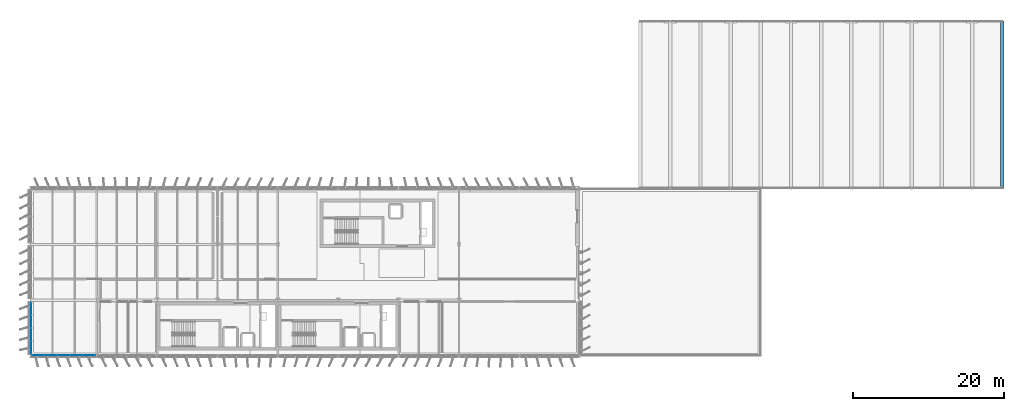
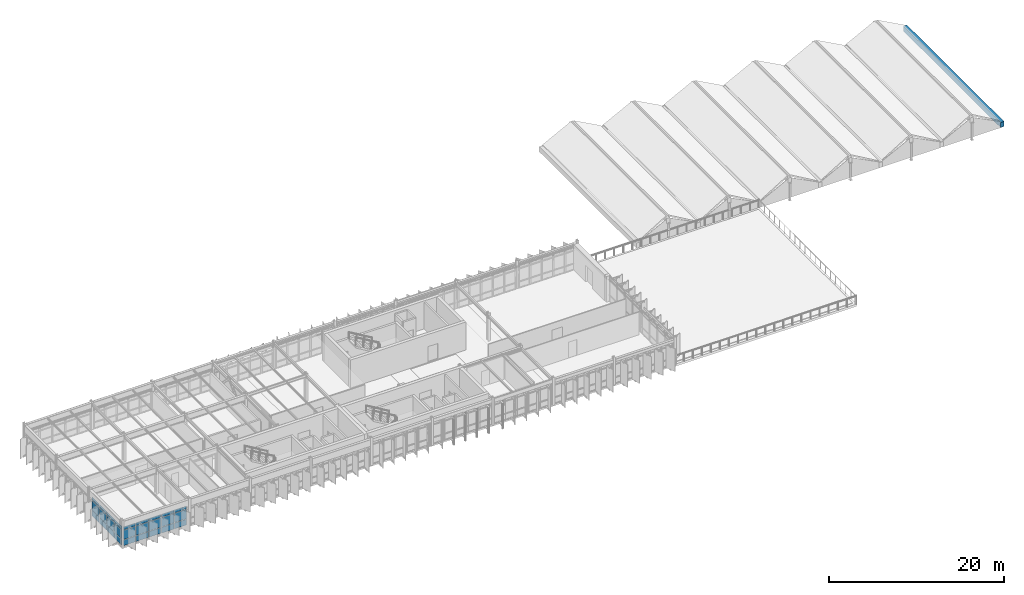
# One storey, part 18 of 35: 27 plates, 1 beam, 2 elements without a shape of their own.
"""IFC4 building model written with IfcOpenShell, lengths in metres."""

from ifc_helpers import new_model, si_unit, direction, frame, origin, origin_2d, place, context, subcontext, project, spatial, rectangle, extrude, material, layer, layer_set, material_profile, profile_set, type_object, element, aggregate, save


model = new_model("IFC4")

# Units and contexts
model_context = context("Model", 3, precision=1e-05, world=origin(), true_north=direction((0.0, 1.0)))
body_context = subcontext(model_context, "Body", "Model", "MODEL_VIEW")
ifc_project = project(units=[si_unit("LENGTHUNIT", "METRE"), si_unit("AREAUNIT", "SQUARE_METRE"), si_unit("VOLUMEUNIT", "CUBIC_METRE"), si_unit("PLANEANGLEUNIT", "RADIAN"), si_unit("MASSUNIT", "GRAM", prefix="KILO")], contexts=[model_context])

# Site, building, storey
site_placement = place(None, origin())
site = spatial("IfcSite", under=ifc_project, at=site_placement, CompositionType="ELEMENT")
building_placement = place(site_placement, origin())
building = spatial("IfcBuilding", under=site, at=building_placement, Name="Valkorina Park Police Headquarters", CompositionType="ELEMENT")
storey_placement = place(building_placement, frame((0.0, 0.0, 27.199951171875)))
storey = spatial("IfcBuildingStorey", under=building, at=storey_placement, Name="L07", CompositionType="ELEMENT", Elevation=27.199951171875)

# Beam
ifc_material_1 = material(Name="Concrete C40/50", Category="concrete")
ifc_material_profile = material_profile(ifc_material_1, rectangle(XDim=0.449951171875, YDim=0.699951171875, at=origin_2d()), Name="RC RIDGE 450x700")
ifc_profile_set = profile_set([ifc_material_profile], Name="Concrete C40/50")
beam_type = type_object("IfcBeamType", Name="BM-RC-RIDGE-EXT", PredefinedType="BEAM", material=ifc_profile_set)
beam_placement = place(storey_placement, frame((128.800048828125, 59.199951171875, 0.35009765625), z_axis=(0.0, 1.0, 0.0), x_axis=(-1.0, 0.0, 0.0)))
element("IfcBeam", 1, at=beam_placement, inside=storey, type_object=beam_type, Name="V2 Command Hall Folded-Plate Valley Beam 6.2", PredefinedType="BEAM", context=body_context, shape_type="SweptSolid", body=[
    extrude(rectangle(XDim=0.449951171875, YDim=0.699951171875, at=origin_2d()), origin(), (0.0, 0.0, 1.0), 22.199951171875),
])

# Curtain wall, plates
ifc_material_2 = material(Name="Thermally broken aluminium AW-6060", Category="aluminium")
ifc_layer_1 = layer(ifc_material_2, 0.18994140625)
ifc_layer_set_1 = layer_set([ifc_layer_1], Name="Thermally broken aluminium AW-6060")
curtain_wall_type_1 = type_object("IfcCurtainWallType", Name="CW-V5-8480x2770", PredefinedType="NOTDEFINED", material=ifc_layer_set_1)
curtain_wall_1_placement = place(storey_placement, origin())
curtain_wall_1 = element("IfcCurtainWall", 2, at=curtain_wall_1_placement, inside=storey, type_object=curtain_wall_type_1, Name="L07 Unitised Curtain Wall 141", PredefinedType="NOTDEFINED")
ifc_layer_2 = layer(ifc_material_2, 0.050048828125)
ifc_layer_set_2 = layer_set([ifc_layer_2], Name="Thermally broken aluminium AW-6060")
plate_type_1 = type_object("IfcPlateType", Name="PL-CWP-SPANDREL-50", PredefinedType="CURTAIN_PANEL", material=ifc_layer_set_2)
plate_1_placement = place(storey_placement, frame((7.7744140625, 37.1201171875, 0.070068359375), z_axis=(0.0, 0.0, 1.0), x_axis=(-1.0, 0.0, 0.0)))
plate_1 = element("IfcPlate", 3, at=plate_1_placement, type_object=plate_type_1, Name="CW-V5-848-277 panel 1.1", PredefinedType="CURTAIN_PANEL", context=body_context, shape_type="SweptSolid", body=[
    extrude(rectangle(XDim=1.591064453125, YDim=0.028076171875, at=origin_2d()), origin(), (0.0, 0.0, 1.0), 0.794921875),
])
plate_2_placement = place(storey_placement, frame((6.095947265625, 37.1201171875, 0.070068359375), z_axis=(0.0, 0.0, 1.0), x_axis=(-1.0, 0.0, 0.0)))
plate_2 = element("IfcPlate", 4, at=plate_2_placement, type_object=plate_type_1, Name="CW-V5-848-277 panel 2.1", PredefinedType="CURTAIN_PANEL", context=body_context, shape_type="SweptSolid", body=[
    extrude(rectangle(XDim=1.6259765625, YDim=0.028076171875, at=origin_2d()), origin(), (0.0, 0.0, 1.0), 0.794921875),
])
plate_3_placement = place(storey_placement, frame((4.39990234375, 37.1201171875, 0.070068359375), z_axis=(0.0, 0.0, 1.0), x_axis=(-1.0, 0.0, 0.0)))
plate_3 = element("IfcPlate", 5, at=plate_3_placement, type_object=plate_type_1, Name="CW-V5-848-277 panel 3.1", PredefinedType="CURTAIN_PANEL", context=body_context, shape_type="SweptSolid", body=[
    extrude(rectangle(XDim=1.6259765625, YDim=0.028076171875, at=origin_2d()), origin(), (0.0, 0.0, 1.0), 0.794921875),
])
plate_4_placement = place(storey_placement, frame((2.7041015625, 37.1201171875, 0.070068359375), z_axis=(0.0, 0.0, 1.0), x_axis=(-1.0, 0.0, 0.0)))
plate_4 = element("IfcPlate", 6, at=plate_4_placement, type_object=plate_type_1, Name="CW-V5-848-277 panel 4.1", PredefinedType="CURTAIN_PANEL", context=body_context, shape_type="SweptSolid", body=[
    extrude(rectangle(XDim=1.6259765625, YDim=0.028076171875, at=origin_2d()), origin(), (0.0, 0.0, 1.0), 0.794921875),
])
plate_5_placement = place(storey_placement, frame((1.025390625, 37.1201171875, 0.070068359375), z_axis=(0.0, 0.0, 1.0), x_axis=(-1.0, 0.0, 0.0)))
plate_5 = element("IfcPlate", 7, at=plate_5_placement, type_object=plate_type_1, Name="CW-V5-848-277 panel 5.1", PredefinedType="CURTAIN_PANEL", context=body_context, shape_type="SweptSolid", body=[
    extrude(rectangle(XDim=1.591064453125, YDim=0.028076171875, at=origin_2d()), origin(), (0.0, 0.0, 1.0), 0.794921875),
])

ifc_layer_3 = layer(ifc_material_2, 0.18994140625)
ifc_layer_set_3 = layer_set([ifc_layer_3], Name="Thermally broken aluminium AW-6060")
curtain_wall_type_2 = type_object("IfcCurtainWallType", Name="CW-V5-6930x2770", PredefinedType="NOTDEFINED", material=ifc_layer_set_3)
curtain_wall_2_placement = place(storey_placement, origin())
curtain_wall_2 = element("IfcCurtainWall", 8, at=curtain_wall_2_placement, inside=storey, type_object=curtain_wall_type_2, Name="L07 Unitised Curtain Wall 142", PredefinedType="NOTDEFINED")
plate_6_placement = place(storey_placement, frame((0.1201171875, 38.11865234375, 0.070068359375), z_axis=(0.0, 0.0, 1.0), x_axis=(0.0, 1.0, 0.0)))
plate_6 = element("IfcPlate", 9, at=plate_6_placement, type_object=plate_type_1, Name="CW-V5-693-277 panel 1.1", PredefinedType="CURTAIN_PANEL", context=body_context, shape_type="SweptSolid", body=[
    extrude(rectangle(XDim=1.62744140625, YDim=0.028076171875, at=origin_2d()), origin(), (0.0, 0.0, 1.0), 0.794921875),
])
plate_7_placement = place(storey_placement, frame((0.1201171875, 39.833740234375, 0.070068359375), z_axis=(0.0, 0.0, 1.0), x_axis=(0.0, 1.0, 0.0)))
plate_7 = element("IfcPlate", 10, at=plate_7_placement, type_object=plate_type_1, Name="CW-V5-693-277 panel 2.1", PredefinedType="CURTAIN_PANEL", context=body_context, shape_type="SweptSolid", body=[
    extrude(rectangle(XDim=1.66259765625, YDim=0.028076171875, at=origin_2d()), origin(), (0.0, 0.0, 1.0), 0.794921875),
])
plate_8_placement = place(storey_placement, frame((0.1201171875, 41.566162109375, 0.070068359375), z_axis=(0.0, 0.0, 1.0), x_axis=(0.0, 1.0, 0.0)))
plate_8 = element("IfcPlate", 11, at=plate_8_placement, type_object=plate_type_1, Name="CW-V5-693-277 panel 3.1", PredefinedType="CURTAIN_PANEL", context=body_context, shape_type="SweptSolid", body=[
    extrude(rectangle(XDim=1.66259765625, YDim=0.028076171875, at=origin_2d()), origin(), (0.0, 0.0, 1.0), 0.794921875),
])
plate_9_placement = place(storey_placement, frame((0.1201171875, 43.28125, 0.070068359375), z_axis=(0.0, 0.0, 1.0), x_axis=(0.0, 1.0, 0.0)))
plate_9 = element("IfcPlate", 12, at=plate_9_placement, type_object=plate_type_1, Name="CW-V5-693-277 panel 4.1", PredefinedType="CURTAIN_PANEL", context=body_context, shape_type="SweptSolid", body=[
    extrude(rectangle(XDim=1.62744140625, YDim=0.028076171875, at=origin_2d()), origin(), (0.0, 0.0, 1.0), 0.794921875),
])

# Plate
ifc_material_3 = material(Name="Triple low-E insulated glazing", Category="glass")
ifc_layer_4 = layer(ifc_material_3, 0.028076171875)
ifc_layer_set_4 = layer_set([ifc_layer_4], Name="Triple low-E insulated glazing")
plate_type_2 = type_object("IfcPlateType", Name="PL-CWP-VISION-28", PredefinedType="CURTAIN_PANEL", material=ifc_layer_set_4)
plate_10_placement = place(storey_placement, frame((7.7744140625, 37.1201171875, 0.93505859375), z_axis=(0.0, 0.0, 1.0), x_axis=(-1.0, 0.0, 0.0)))
plate_10 = element("IfcPlate", 13, at=plate_10_placement, type_object=plate_type_2, Name="CW-V5-848-277 panel 1.2", PredefinedType="CURTAIN_PANEL", context=body_context, shape_type="SweptSolid", body=[
    extrude(rectangle(XDim=1.591064453125, YDim=0.028076171875, at=origin_2d()), origin(), (0.0, 0.0, 1.0), 1.280029296875),
])

plate_11_placement = place(storey_placement, frame((7.7744140625, 37.1201171875, 2.284912109375), z_axis=(0.0, 0.0, 1.0), x_axis=(-1.0, 0.0, 0.0)))
plate_11 = element("IfcPlate", 14, at=plate_11_placement, type_object=plate_type_2, Name="CW-V5-848-277 panel 1.3", PredefinedType="CURTAIN_PANEL", context=body_context, shape_type="SweptSolid", body=[
    extrude(rectangle(XDim=1.591064453125, YDim=0.028076171875, at=origin_2d()), origin(), (0.0, 0.0, 1.0), 0.4150390625),
])

plate_12_placement = place(storey_placement, frame((6.095947265625, 37.1201171875, 0.93505859375), z_axis=(0.0, 0.0, 1.0), x_axis=(-1.0, 0.0, 0.0)))
plate_12 = element("IfcPlate", 15, at=plate_12_placement, type_object=plate_type_2, Name="CW-V5-848-277 panel 2.2", PredefinedType="CURTAIN_PANEL", context=body_context, shape_type="SweptSolid", body=[
    extrude(rectangle(XDim=1.6259765625, YDim=0.028076171875, at=origin_2d()), origin(), (0.0, 0.0, 1.0), 1.280029296875),
])

plate_13_placement = place(storey_placement, frame((6.095947265625, 37.1201171875, 2.284912109375), z_axis=(0.0, 0.0, 1.0), x_axis=(-1.0, 0.0, 0.0)))
plate_13 = element("IfcPlate", 16, at=plate_13_placement, type_object=plate_type_2, Name="CW-V5-848-277 panel 2.3", PredefinedType="CURTAIN_PANEL", context=body_context, shape_type="SweptSolid", body=[
    extrude(rectangle(XDim=1.6259765625, YDim=0.028076171875, at=origin_2d()), origin(), (0.0, 0.0, 1.0), 0.4150390625),
])

plate_14_placement = place(storey_placement, frame((4.39990234375, 37.1201171875, 0.93505859375), z_axis=(0.0, 0.0, 1.0), x_axis=(-1.0, 0.0, 0.0)))
plate_14 = element("IfcPlate", 17, at=plate_14_placement, type_object=plate_type_2, Name="CW-V5-848-277 panel 3.2", PredefinedType="CURTAIN_PANEL", context=body_context, shape_type="SweptSolid", body=[
    extrude(rectangle(XDim=1.6259765625, YDim=0.028076171875, at=origin_2d()), origin(), (0.0, 0.0, 1.0), 1.280029296875),
])

plate_15_placement = place(storey_placement, frame((4.39990234375, 37.1201171875, 2.284912109375), z_axis=(0.0, 0.0, 1.0), x_axis=(-1.0, 0.0, 0.0)))
plate_15 = element("IfcPlate", 18, at=plate_15_placement, type_object=plate_type_2, Name="CW-V5-848-277 panel 3.3", PredefinedType="CURTAIN_PANEL", context=body_context, shape_type="SweptSolid", body=[
    extrude(rectangle(XDim=1.6259765625, YDim=0.028076171875, at=origin_2d()), origin(), (0.0, 0.0, 1.0), 0.4150390625),
])

plate_16_placement = place(storey_placement, frame((2.7041015625, 37.1201171875, 0.93505859375), z_axis=(0.0, 0.0, 1.0), x_axis=(-1.0, 0.0, 0.0)))
plate_16 = element("IfcPlate", 19, at=plate_16_placement, type_object=plate_type_2, Name="CW-V5-848-277 panel 4.2", PredefinedType="CURTAIN_PANEL", context=body_context, shape_type="SweptSolid", body=[
    extrude(rectangle(XDim=1.6259765625, YDim=0.028076171875, at=origin_2d()), origin(), (0.0, 0.0, 1.0), 1.280029296875),
])

plate_17_placement = place(storey_placement, frame((2.7041015625, 37.1201171875, 2.284912109375), z_axis=(0.0, 0.0, 1.0), x_axis=(-1.0, 0.0, 0.0)))
plate_17 = element("IfcPlate", 20, at=plate_17_placement, type_object=plate_type_2, Name="CW-V5-848-277 panel 4.3", PredefinedType="CURTAIN_PANEL", context=body_context, shape_type="SweptSolid", body=[
    extrude(rectangle(XDim=1.6259765625, YDim=0.028076171875, at=origin_2d()), origin(), (0.0, 0.0, 1.0), 0.4150390625),
])

plate_18_placement = place(storey_placement, frame((1.025390625, 37.1201171875, 0.93505859375), z_axis=(0.0, 0.0, 1.0), x_axis=(-1.0, 0.0, 0.0)))
plate_18 = element("IfcPlate", 21, at=plate_18_placement, type_object=plate_type_2, Name="CW-V5-848-277 panel 5.2", PredefinedType="CURTAIN_PANEL", context=body_context, shape_type="SweptSolid", body=[
    extrude(rectangle(XDim=1.591064453125, YDim=0.028076171875, at=origin_2d()), origin(), (0.0, 0.0, 1.0), 1.280029296875),
])

plate_19_placement = place(storey_placement, frame((1.025390625, 37.1201171875, 2.284912109375), z_axis=(0.0, 0.0, 1.0), x_axis=(-1.0, 0.0, 0.0)))
plate_19 = element("IfcPlate", 22, at=plate_19_placement, type_object=plate_type_2, Name="CW-V5-848-277 panel 5.3", PredefinedType="CURTAIN_PANEL", context=body_context, shape_type="SweptSolid", body=[
    extrude(rectangle(XDim=1.591064453125, YDim=0.028076171875, at=origin_2d()), origin(), (0.0, 0.0, 1.0), 0.4150390625),
])

aggregate(curtain_wall_1, [plate_1, plate_10, plate_11, plate_2, plate_12, plate_13, plate_3, plate_14, plate_15, plate_4, plate_16, plate_17, plate_5, plate_18, plate_19])

plate_20_placement = place(storey_placement, frame((0.1201171875, 38.11865234375, 0.93505859375), z_axis=(0.0, 0.0, 1.0), x_axis=(0.0, 1.0, 0.0)))
plate_20 = element("IfcPlate", 23, at=plate_20_placement, type_object=plate_type_2, Name="CW-V5-693-277 panel 1.2", PredefinedType="CURTAIN_PANEL", context=body_context, shape_type="SweptSolid", body=[
    extrude(rectangle(XDim=1.62744140625, YDim=0.028076171875, at=origin_2d()), origin(), (0.0, 0.0, 1.0), 1.280029296875),
])

plate_21_placement = place(storey_placement, frame((0.1201171875, 38.11865234375, 2.284912109375), z_axis=(0.0, 0.0, 1.0), x_axis=(0.0, 1.0, 0.0)))
plate_21 = element("IfcPlate", 24, at=plate_21_placement, type_object=plate_type_2, Name="CW-V5-693-277 panel 1.3", PredefinedType="CURTAIN_PANEL", context=body_context, shape_type="SweptSolid", body=[
    extrude(rectangle(XDim=1.62744140625, YDim=0.028076171875, at=origin_2d()), origin(), (0.0, 0.0, 1.0), 0.4150390625),
])

plate_22_placement = place(storey_placement, frame((0.1201171875, 39.833740234375, 0.93505859375), z_axis=(0.0, 0.0, 1.0), x_axis=(0.0, 1.0, 0.0)))
plate_22 = element("IfcPlate", 25, at=plate_22_placement, type_object=plate_type_2, Name="CW-V5-693-277 panel 2.2", PredefinedType="CURTAIN_PANEL", context=body_context, shape_type="SweptSolid", body=[
    extrude(rectangle(XDim=1.66259765625, YDim=0.028076171875, at=origin_2d()), origin(), (0.0, 0.0, 1.0), 1.280029296875),
])

plate_23_placement = place(storey_placement, frame((0.1201171875, 39.833740234375, 2.284912109375), z_axis=(0.0, 0.0, 1.0), x_axis=(0.0, 1.0, 0.0)))
plate_23 = element("IfcPlate", 26, at=plate_23_placement, type_object=plate_type_2, Name="CW-V5-693-277 panel 2.3", PredefinedType="CURTAIN_PANEL", context=body_context, shape_type="SweptSolid", body=[
    extrude(rectangle(XDim=1.66259765625, YDim=0.028076171875, at=origin_2d()), origin(), (0.0, 0.0, 1.0), 0.4150390625),
])

plate_24_placement = place(storey_placement, frame((0.1201171875, 41.566162109375, 0.93505859375), z_axis=(0.0, 0.0, 1.0), x_axis=(0.0, 1.0, 0.0)))
plate_24 = element("IfcPlate", 27, at=plate_24_placement, type_object=plate_type_2, Name="CW-V5-693-277 panel 3.2", PredefinedType="CURTAIN_PANEL", context=body_context, shape_type="SweptSolid", body=[
    extrude(rectangle(XDim=1.66259765625, YDim=0.028076171875, at=origin_2d()), origin(), (0.0, 0.0, 1.0), 1.280029296875),
])

plate_25_placement = place(storey_placement, frame((0.1201171875, 41.566162109375, 2.284912109375), z_axis=(0.0, 0.0, 1.0), x_axis=(0.0, 1.0, 0.0)))
plate_25 = element("IfcPlate", 28, at=plate_25_placement, type_object=plate_type_2, Name="CW-V5-693-277 panel 3.3", PredefinedType="CURTAIN_PANEL", context=body_context, shape_type="SweptSolid", body=[
    extrude(rectangle(XDim=1.66259765625, YDim=0.028076171875, at=origin_2d()), origin(), (0.0, 0.0, 1.0), 0.4150390625),
])

plate_26_placement = place(storey_placement, frame((0.1201171875, 43.28125, 0.93505859375), z_axis=(0.0, 0.0, 1.0), x_axis=(0.0, 1.0, 0.0)))
plate_26 = element("IfcPlate", 29, at=plate_26_placement, type_object=plate_type_2, Name="CW-V5-693-277 panel 4.2", PredefinedType="CURTAIN_PANEL", context=body_context, shape_type="SweptSolid", body=[
    extrude(rectangle(XDim=1.62744140625, YDim=0.028076171875, at=origin_2d()), origin(), (0.0, 0.0, 1.0), 1.280029296875),
])

plate_27_placement = place(storey_placement, frame((0.1201171875, 43.28125, 2.284912109375), z_axis=(0.0, 0.0, 1.0), x_axis=(0.0, 1.0, 0.0)))
plate_27 = element("IfcPlate", 30, at=plate_27_placement, type_object=plate_type_2, Name="CW-V5-693-277 panel 4.3", PredefinedType="CURTAIN_PANEL", context=body_context, shape_type="SweptSolid", body=[
    extrude(rectangle(XDim=1.62744140625, YDim=0.028076171875, at=origin_2d()), origin(), (0.0, 0.0, 1.0), 0.4150390625),
])

aggregate(curtain_wall_2, [plate_6, plate_20, plate_21, plate_7, plate_22, plate_23, plate_8, plate_24, plate_25, plate_9, plate_26, plate_27])

save(model, "model.ifc")
